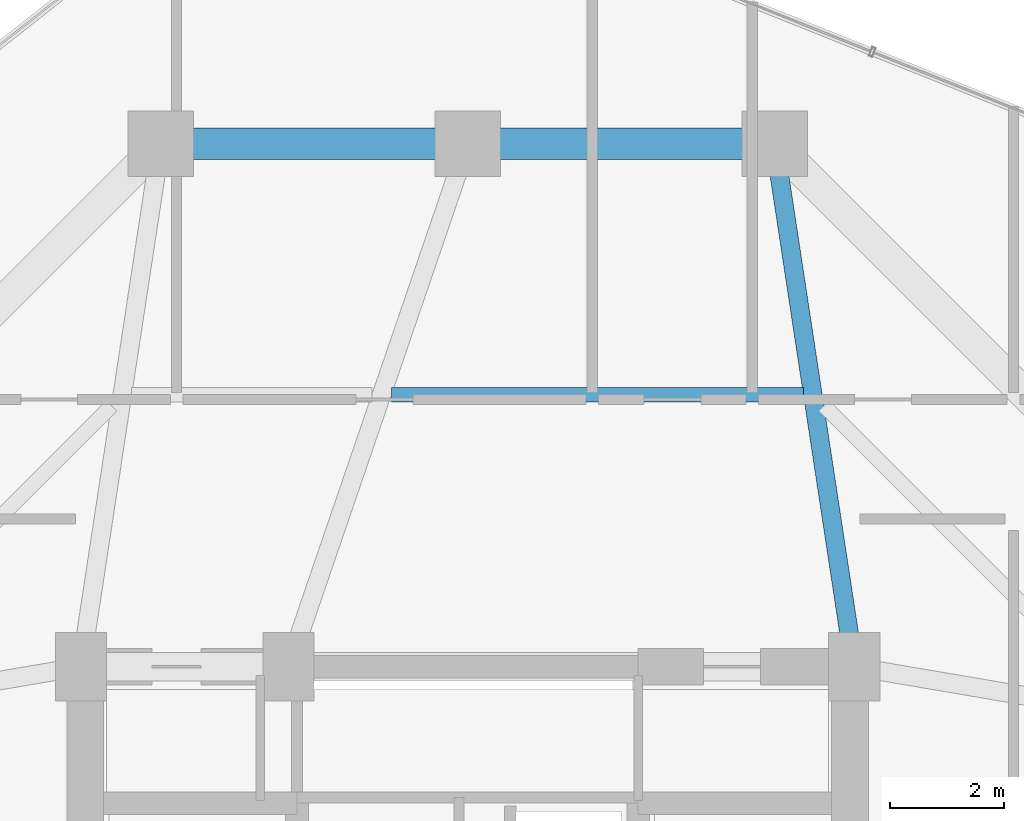
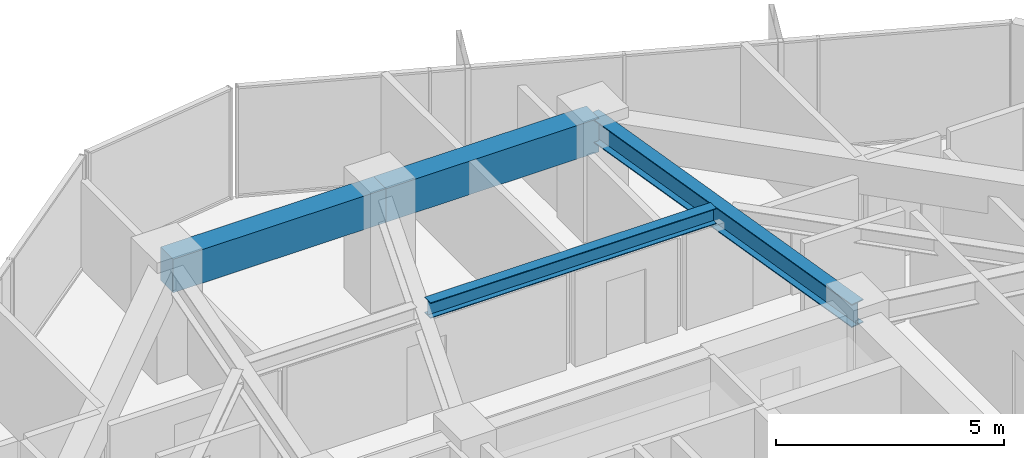
# One storey, part 23 of 34: 4 beams.
"""IFC4 building model written with IfcOpenShell, lengths in metres."""

from ifc_helpers import new_model, si_unit, direction, frame, origin, origin_2d, place, context, subcontext, project, spatial, rectangle, i_section, extrude, material, material_profile, profile_set, type_object, element, save


model = new_model("IFC4")

# Units and contexts
model_context = context("Model", 3, precision=1e-05, world=origin(), true_north=direction((0.0, 1.0)))
body_context = subcontext(model_context, "Body", "Model", "MODEL_VIEW")
ifc_project = project(units=[si_unit("LENGTHUNIT", "METRE"), si_unit("AREAUNIT", "SQUARE_METRE"), si_unit("VOLUMEUNIT", "CUBIC_METRE"), si_unit("PLANEANGLEUNIT", "RADIAN"), si_unit("MASSUNIT", "GRAM", prefix="KILO")], contexts=[model_context])

# Site, building, storey
site_placement = place(None, origin())
site = spatial("IfcSite", under=ifc_project, at=site_placement, CompositionType="ELEMENT")
building_placement = place(site_placement, origin())
building = spatial("IfcBuilding", under=site, at=building_placement, Name="Veraguas Prism Commons", CompositionType="ELEMENT")
storey_placement = place(building_placement, frame((0.0, 0.0, 155.5)))
storey = spatial("IfcBuildingStorey", under=building, at=storey_placement, Name="L44", CompositionType="ELEMENT", Elevation=155.5)

# Beams
ifc_material_1 = material(Name="Steel ASTM A992 Grade 50", Category="steel")
ifc_material_profile_1 = material_profile(ifc_material_1, i_section(OverallWidth=0.260986328125, OverallDepth=0.419921875, WebThickness=0.01171875, FlangeThickness=0.019287109375, at=origin_2d()), Name="W410X114")
ifc_profile_set_1 = profile_set([ifc_material_profile_1], Name="Steel ASTM A992 Grade 50")
beam_type_1 = type_object("IfcBeamType", Name="Lower Floor Joist W410x114", PredefinedType="JOIST", material=ifc_profile_set_1)
beam_1_placement = place(storey_placement, frame((29.908203125, 35.783935546875, 2.760009765625), z_axis=(-1.0, 0.0, 0.0), x_axis=(0.0, -1.0, 0.0)))
element("IfcBeam", 1, at=beam_1_placement, inside=storey, type_object=beam_type_1, Name="Composite Floor Joist L44-JS04", PredefinedType="JOIST", context=body_context, shape_type="SweptSolid", body=[
    extrude(i_section(OverallWidth=0.260986328125, OverallDepth=0.419921875, WebThickness=0.01171875, FlangeThickness=0.019287109375, at=origin_2d()), origin(), (0.0, 0.0, 1.0), 7.2490234375),
])
ifc_material_2 = material(Name="Concrete C50/60", Category="concrete")
ifc_material_profile_2 = material_profile(ifc_material_2, rectangle(XDim=0.550048828125, YDim=0.89990234375, at=origin_2d()), Name="RC550X900")
ifc_profile_set_2 = profile_set([ifc_material_profile_2], Name="Concrete C50/60")
beam_type_2 = type_object("IfcBeamType", Name="Perimeter Spandrel Lower RC 550x900", PredefinedType="SPANDREL", material=ifc_profile_set_2)
for number, where, z_axis, x_axis, name in (
    (2, (29.39990234375, 40.199951171875, 2.52001953125), (-1.0, 0.0, 0.0), (0.0, -1.0, 0.0), "Perimeter Spandrel Beam L44-SP04"),
    (3, (24.0, 40.199951171875, 2.52001953125), (-1.0, 0.0, 0.0), (0.0, -1.0, 0.0), "Perimeter Spandrel Beam L44-SP05"),
):
    element("IfcBeam", number, at=place(storey_placement, frame(where, z_axis=z_axis, x_axis=x_axis)), inside=storey, type_object=beam_type_2, Name=name, PredefinedType="SPANDREL", context=body_context, shape_type="SweptSolid", body=[
        extrude(rectangle(XDim=0.550048828125, YDim=0.89990234375, at=origin_2d()), origin(), (0.0, 0.0, 1.0), 5.39990234375),
    ])
ifc_material_profile_3 = material_profile(ifc_material_1, i_section(OverallWidth=0.327880859375, OverallDepth=0.6220703125, WebThickness=0.015380859375, FlangeThickness=0.0244140625, at=origin_2d()), Name="W610X195")
ifc_profile_set_3 = profile_set([ifc_material_profile_3], Name="Steel ASTM A992 Grade 50")
beam_type_3 = type_object("IfcBeamType", Name="Zone 2 Radial Girder W610x195", PredefinedType="BEAM", material=ifc_profile_set_3)
beam_2_placement = place(storey_placement, frame((29.39990234375, 40.199951171875, 2.658935546875), z_axis=(0.150458162136, -0.98861637729, 0.0), x_axis=(0.98861637729, 0.150458162136, 0.0)))
element("IfcBeam", 4, at=beam_2_placement, inside=storey, type_object=beam_type_3, Name="Radial Floor Girder L44-RD04", PredefinedType="BEAM", context=body_context, shape_type="SweptSolid", body=[
    extrude(i_section(OverallWidth=0.327880859375, OverallDepth=0.6220703125, WebThickness=0.015380859375, FlangeThickness=0.0244140625, at=origin_2d()), origin(), (0.0, 0.0, 1.0), 9.305908203125),
])

save(model, "model.ifc")
